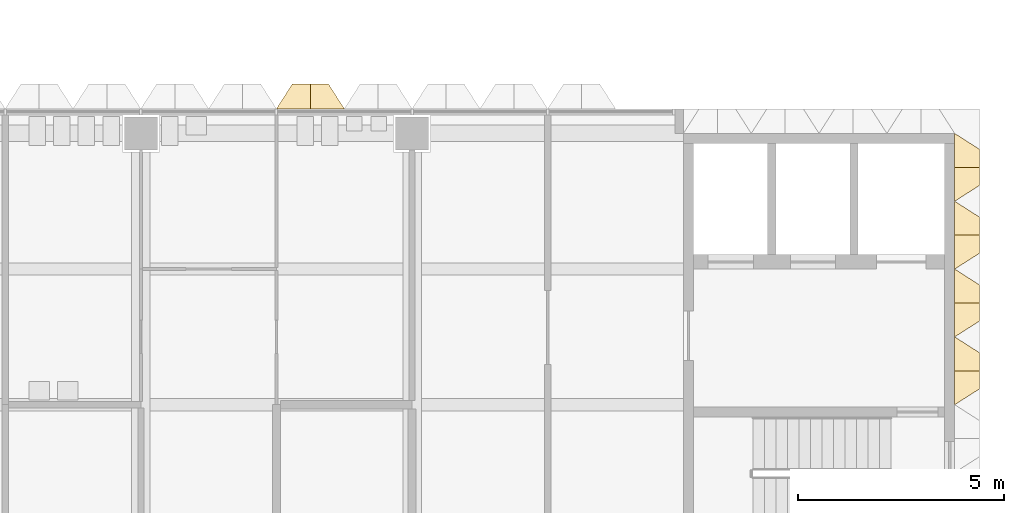
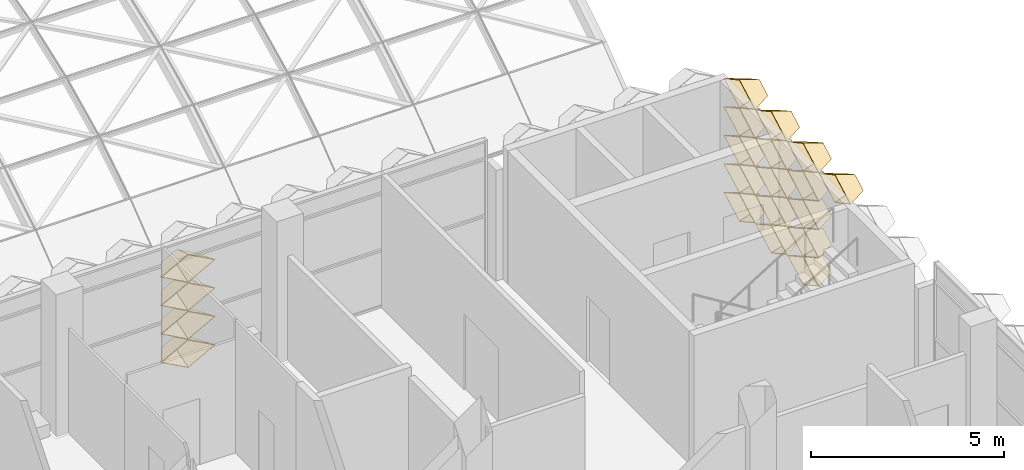
# One storey, part 66 of 85: 20 coverings.
"""IFC4 building model written with IfcOpenShell, lengths in metres."""

from ifc_helpers import new_model, entity, si_unit, direction, frame, origin, place, context, subcontext, project, spatial, material, layer, layer_set, type_object, element, save


model = new_model("IFC4")

# Units and contexts
model_context = context("Model", 3, precision=1e-05, world=origin(), true_north=direction((0.0, 1.0)))
body_context = subcontext(model_context, "Body", "Model", "MODEL_VIEW")
ifc_project = project(units=[si_unit("LENGTHUNIT", "METRE"), si_unit("AREAUNIT", "SQUARE_METRE"), si_unit("VOLUMEUNIT", "CUBIC_METRE"), si_unit("PLANEANGLEUNIT", "RADIAN"), si_unit("MASSUNIT", "GRAM", prefix="KILO")], contexts=[model_context])

# Site, building, storey
site_placement = place(None, origin())
site = spatial("IfcSite", under=ifc_project, at=site_placement, CompositionType="ELEMENT")
building_placement = place(site_placement, origin())
building = spatial("IfcBuilding", under=site, at=building_placement, Name="Lantern Court Research Institute", CompositionType="ELEMENT")
storey_placement = place(building_placement, frame((0.0, 0.0, 18.89990234375)))
storey = spatial("IfcBuildingStorey", under=building, at=storey_placement, Name="L04", CompositionType="ELEMENT", Elevation=18.89990234375)

# Coverings
ifc_material = material(Name="Anodised aluminium", Category="aluminium")
ifc_layer = layer(ifc_material, 0.01611328125)
ifc_layer_set = layer_set([ifc_layer], Name="Anodised aluminium")
covering_type = type_object("IfcCoveringType", Name="Fin cassette 1650 x 900 x 600 aluminium", PredefinedType="CLADDING", material=ifc_layer_set)
covering_1_placement = place(storey_placement, frame((79.199951171875, 18.97509765625, 0.4501953125), z_axis=(1.0, 0.0, 0.0), x_axis=(0.0, 1.0, 0.0)))
cartesian_point_1 = entity("IfcCartesianPoint", [0.824951171875, 0.0])
cartesian_point_2 = entity("IfcCartesianPoint", [0.79150390625, 0.0])
cartesian_point_3 = entity("IfcCartesianPoint", [0.44189453125, 0.0])
cartesian_point_4 = entity("IfcCartesianPoint", [0.43359375, 0.0])
element("IfcCovering", 1, at=covering_1_placement, inside=storey, type_object=covering_type, Name="Fin cassette V5E-L04 1.12", PredefinedType="CLADDING", context=body_context, shape_type="SweptSolid", body=[
    entity("IfcExtrudedAreaSolidTapered", entity("IfcArbitraryProfileDefWithVoids", "AREA", None, entity("IfcPolyline", [cartesian_point_1, entity("IfcCartesianPoint", [0.0, 0.449951171875]), entity("IfcCartesianPoint", [-0.824951171875, 0.0]), entity("IfcCartesianPoint", [0.0, -0.449951171875]), cartesian_point_1]), [entity("IfcPolyline", [cartesian_point_2, entity("IfcCartesianPoint", [0.0, 0.431884765625]), entity("IfcCartesianPoint", [-0.79150390625, 0.0]), entity("IfcCartesianPoint", [0.0, -0.431884765625]), cartesian_point_2])]), entity("IfcAxis2Placement3D", entity("IfcCartesianPoint", [0.0, 0.0, 0.0])), entity("IfcDirection", [0.0, 0.0, 1.0]), 0.60009765625, entity("IfcArbitraryProfileDefWithVoids", "AREA", None, entity("IfcPolyline", [cartesian_point_3, entity("IfcCartesianPoint", [0.0, 0.240966796875]), entity("IfcCartesianPoint", [-0.44189453125, 0.0]), entity("IfcCartesianPoint", [0.0, -0.240966796875]), cartesian_point_3]), [entity("IfcPolyline", [cartesian_point_4, entity("IfcCartesianPoint", [0.0, 0.236572265625]), entity("IfcCartesianPoint", [-0.43359375, 0.0]), entity("IfcCartesianPoint", [0.0, -0.236572265625]), cartesian_point_4])])),
])
covering_2_placement = place(storey_placement, frame((79.199951171875, 20.625, 0.4501953125), z_axis=(1.0, 0.0, 0.0), x_axis=(0.0, 1.0, 0.0)))
cartesian_point_5 = entity("IfcCartesianPoint", [0.824951171875, 0.0])
cartesian_point_6 = entity("IfcCartesianPoint", [0.79150390625, 0.0])
cartesian_point_7 = entity("IfcCartesianPoint", [0.44189453125, 0.0])
cartesian_point_8 = entity("IfcCartesianPoint", [0.43359375, 0.0])
element("IfcCovering", 2, at=covering_2_placement, inside=storey, type_object=covering_type, Name="Fin cassette V5E-L04 1.13", PredefinedType="CLADDING", context=body_context, shape_type="SweptSolid", body=[
    entity("IfcExtrudedAreaSolidTapered", entity("IfcArbitraryProfileDefWithVoids", "AREA", None, entity("IfcPolyline", [cartesian_point_5, entity("IfcCartesianPoint", [0.0, 0.449951171875]), entity("IfcCartesianPoint", [-0.824951171875, 0.0]), entity("IfcCartesianPoint", [0.0, -0.449951171875]), cartesian_point_5]), [entity("IfcPolyline", [cartesian_point_6, entity("IfcCartesianPoint", [0.0, 0.431884765625]), entity("IfcCartesianPoint", [-0.79150390625, 0.0]), entity("IfcCartesianPoint", [0.0, -0.431884765625]), cartesian_point_6])]), entity("IfcAxis2Placement3D", entity("IfcCartesianPoint", [0.0, 0.0, 0.0])), entity("IfcDirection", [0.0, 0.0, 1.0]), 0.60009765625, entity("IfcArbitraryProfileDefWithVoids", "AREA", None, entity("IfcPolyline", [cartesian_point_7, entity("IfcCartesianPoint", [0.0, 0.240966796875]), entity("IfcCartesianPoint", [-0.44189453125, 0.0]), entity("IfcCartesianPoint", [0.0, -0.240966796875]), cartesian_point_7]), [entity("IfcPolyline", [cartesian_point_8, entity("IfcCartesianPoint", [0.0, 0.236572265625]), entity("IfcCartesianPoint", [-0.43359375, 0.0]), entity("IfcCartesianPoint", [0.0, -0.236572265625]), cartesian_point_8])])),
])
covering_3_placement = place(storey_placement, frame((79.199951171875, 22.27490234375, 0.4501953125), z_axis=(1.0, 0.0, 0.0), x_axis=(0.0, 1.0, 0.0)))
cartesian_point_9 = entity("IfcCartesianPoint", [0.824951171875, 0.0])
cartesian_point_10 = entity("IfcCartesianPoint", [0.79150390625, 0.0])
cartesian_point_11 = entity("IfcCartesianPoint", [0.44189453125, 0.0])
cartesian_point_12 = entity("IfcCartesianPoint", [0.43359375, 0.0])
element("IfcCovering", 3, at=covering_3_placement, inside=storey, type_object=covering_type, Name="Fin cassette V5E-L04 1.14", PredefinedType="CLADDING", context=body_context, shape_type="SweptSolid", body=[
    entity("IfcExtrudedAreaSolidTapered", entity("IfcArbitraryProfileDefWithVoids", "AREA", None, entity("IfcPolyline", [cartesian_point_9, entity("IfcCartesianPoint", [0.0, 0.449951171875]), entity("IfcCartesianPoint", [-0.824951171875, 0.0]), entity("IfcCartesianPoint", [0.0, -0.449951171875]), cartesian_point_9]), [entity("IfcPolyline", [cartesian_point_10, entity("IfcCartesianPoint", [0.0, 0.431884765625]), entity("IfcCartesianPoint", [-0.79150390625, 0.0]), entity("IfcCartesianPoint", [0.0, -0.431884765625]), cartesian_point_10])]), entity("IfcAxis2Placement3D", entity("IfcCartesianPoint", [0.0, 0.0, 0.0])), entity("IfcDirection", [0.0, 0.0, 1.0]), 0.60009765625, entity("IfcArbitraryProfileDefWithVoids", "AREA", None, entity("IfcPolyline", [cartesian_point_11, entity("IfcCartesianPoint", [0.0, 0.240966796875]), entity("IfcCartesianPoint", [-0.44189453125, 0.0]), entity("IfcCartesianPoint", [0.0, -0.240966796875]), cartesian_point_11]), [entity("IfcPolyline", [cartesian_point_12, entity("IfcCartesianPoint", [0.0, 0.236572265625]), entity("IfcCartesianPoint", [-0.43359375, 0.0]), entity("IfcCartesianPoint", [0.0, -0.236572265625]), cartesian_point_12])])),
])
covering_4_placement = place(storey_placement, frame((79.199951171875, 18.97509765625, 1.35009765625), z_axis=(1.0, 0.0, 0.0), x_axis=(0.0, 1.0, 0.0)))
cartesian_point_13 = entity("IfcCartesianPoint", [0.824951171875, 0.0])
cartesian_point_14 = entity("IfcCartesianPoint", [0.79150390625, 0.0])
cartesian_point_15 = entity("IfcCartesianPoint", [0.44189453125, 0.0])
cartesian_point_16 = entity("IfcCartesianPoint", [0.43359375, 0.0])
element("IfcCovering", 4, at=covering_4_placement, inside=storey, type_object=covering_type, Name="Fin cassette V5E-L04 2.12", PredefinedType="CLADDING", context=body_context, shape_type="SweptSolid", body=[
    entity("IfcExtrudedAreaSolidTapered", entity("IfcArbitraryProfileDefWithVoids", "AREA", None, entity("IfcPolyline", [cartesian_point_13, entity("IfcCartesianPoint", [0.0, 0.449951171875]), entity("IfcCartesianPoint", [-0.824951171875, 0.0]), entity("IfcCartesianPoint", [0.0, -0.449951171875]), cartesian_point_13]), [entity("IfcPolyline", [cartesian_point_14, entity("IfcCartesianPoint", [0.0, 0.431884765625]), entity("IfcCartesianPoint", [-0.79150390625, 0.0]), entity("IfcCartesianPoint", [0.0, -0.431884765625]), cartesian_point_14])]), entity("IfcAxis2Placement3D", entity("IfcCartesianPoint", [0.0, 0.0, 0.0])), entity("IfcDirection", [0.0, 0.0, 1.0]), 0.60009765625, entity("IfcArbitraryProfileDefWithVoids", "AREA", None, entity("IfcPolyline", [cartesian_point_15, entity("IfcCartesianPoint", [0.0, 0.240966796875]), entity("IfcCartesianPoint", [-0.44189453125, 0.0]), entity("IfcCartesianPoint", [0.0, -0.240966796875]), cartesian_point_15]), [entity("IfcPolyline", [cartesian_point_16, entity("IfcCartesianPoint", [0.0, 0.236572265625]), entity("IfcCartesianPoint", [-0.43359375, 0.0]), entity("IfcCartesianPoint", [0.0, -0.236572265625]), cartesian_point_16])])),
])
covering_5_placement = place(storey_placement, frame((79.199951171875, 20.625, 1.35009765625), z_axis=(1.0, 0.0, 0.0), x_axis=(0.0, 1.0, 0.0)))
cartesian_point_17 = entity("IfcCartesianPoint", [0.824951171875, 0.0])
cartesian_point_18 = entity("IfcCartesianPoint", [0.79150390625, 0.0])
cartesian_point_19 = entity("IfcCartesianPoint", [0.44189453125, 0.0])
cartesian_point_20 = entity("IfcCartesianPoint", [0.43359375, 0.0])
element("IfcCovering", 5, at=covering_5_placement, inside=storey, type_object=covering_type, Name="Fin cassette V5E-L04 2.13", PredefinedType="CLADDING", context=body_context, shape_type="SweptSolid", body=[
    entity("IfcExtrudedAreaSolidTapered", entity("IfcArbitraryProfileDefWithVoids", "AREA", None, entity("IfcPolyline", [cartesian_point_17, entity("IfcCartesianPoint", [0.0, 0.449951171875]), entity("IfcCartesianPoint", [-0.824951171875, 0.0]), entity("IfcCartesianPoint", [0.0, -0.449951171875]), cartesian_point_17]), [entity("IfcPolyline", [cartesian_point_18, entity("IfcCartesianPoint", [0.0, 0.431884765625]), entity("IfcCartesianPoint", [-0.79150390625, 0.0]), entity("IfcCartesianPoint", [0.0, -0.431884765625]), cartesian_point_18])]), entity("IfcAxis2Placement3D", entity("IfcCartesianPoint", [0.0, 0.0, 0.0])), entity("IfcDirection", [0.0, 0.0, 1.0]), 0.60009765625, entity("IfcArbitraryProfileDefWithVoids", "AREA", None, entity("IfcPolyline", [cartesian_point_19, entity("IfcCartesianPoint", [0.0, 0.240966796875]), entity("IfcCartesianPoint", [-0.44189453125, 0.0]), entity("IfcCartesianPoint", [0.0, -0.240966796875]), cartesian_point_19]), [entity("IfcPolyline", [cartesian_point_20, entity("IfcCartesianPoint", [0.0, 0.236572265625]), entity("IfcCartesianPoint", [-0.43359375, 0.0]), entity("IfcCartesianPoint", [0.0, -0.236572265625]), cartesian_point_20])])),
])
covering_6_placement = place(storey_placement, frame((79.199951171875, 22.27490234375, 1.35009765625), z_axis=(1.0, 0.0, 0.0), x_axis=(0.0, 1.0, 0.0)))
cartesian_point_21 = entity("IfcCartesianPoint", [0.824951171875, 0.0])
cartesian_point_22 = entity("IfcCartesianPoint", [0.79150390625, 0.0])
cartesian_point_23 = entity("IfcCartesianPoint", [0.44189453125, 0.0])
cartesian_point_24 = entity("IfcCartesianPoint", [0.43359375, 0.0])
element("IfcCovering", 6, at=covering_6_placement, inside=storey, type_object=covering_type, Name="Fin cassette V5E-L04 2.14", PredefinedType="CLADDING", context=body_context, shape_type="SweptSolid", body=[
    entity("IfcExtrudedAreaSolidTapered", entity("IfcArbitraryProfileDefWithVoids", "AREA", None, entity("IfcPolyline", [cartesian_point_21, entity("IfcCartesianPoint", [0.0, 0.449951171875]), entity("IfcCartesianPoint", [-0.824951171875, 0.0]), entity("IfcCartesianPoint", [0.0, -0.449951171875]), cartesian_point_21]), [entity("IfcPolyline", [cartesian_point_22, entity("IfcCartesianPoint", [0.0, 0.431884765625]), entity("IfcCartesianPoint", [-0.79150390625, 0.0]), entity("IfcCartesianPoint", [0.0, -0.431884765625]), cartesian_point_22])]), entity("IfcAxis2Placement3D", entity("IfcCartesianPoint", [0.0, 0.0, 0.0])), entity("IfcDirection", [0.0, 0.0, 1.0]), 0.60009765625, entity("IfcArbitraryProfileDefWithVoids", "AREA", None, entity("IfcPolyline", [cartesian_point_23, entity("IfcCartesianPoint", [0.0, 0.240966796875]), entity("IfcCartesianPoint", [-0.44189453125, 0.0]), entity("IfcCartesianPoint", [0.0, -0.240966796875]), cartesian_point_23]), [entity("IfcPolyline", [cartesian_point_24, entity("IfcCartesianPoint", [0.0, 0.236572265625]), entity("IfcCartesianPoint", [-0.43359375, 0.0]), entity("IfcCartesianPoint", [0.0, -0.236572265625]), cartesian_point_24])])),
])
covering_7_placement = place(storey_placement, frame((79.199951171875, 18.97509765625, 2.25), z_axis=(1.0, 0.0, 0.0), x_axis=(0.0, 1.0, 0.0)))
cartesian_point_25 = entity("IfcCartesianPoint", [0.824951171875, 0.0])
cartesian_point_26 = entity("IfcCartesianPoint", [0.79150390625, 0.0])
cartesian_point_27 = entity("IfcCartesianPoint", [0.44189453125, 0.0])
cartesian_point_28 = entity("IfcCartesianPoint", [0.43359375, 0.0])
element("IfcCovering", 7, at=covering_7_placement, inside=storey, type_object=covering_type, Name="Fin cassette V5E-L04 3.12", PredefinedType="CLADDING", context=body_context, shape_type="SweptSolid", body=[
    entity("IfcExtrudedAreaSolidTapered", entity("IfcArbitraryProfileDefWithVoids", "AREA", None, entity("IfcPolyline", [cartesian_point_25, entity("IfcCartesianPoint", [0.0, 0.449951171875]), entity("IfcCartesianPoint", [-0.824951171875, 0.0]), entity("IfcCartesianPoint", [0.0, -0.449951171875]), cartesian_point_25]), [entity("IfcPolyline", [cartesian_point_26, entity("IfcCartesianPoint", [0.0, 0.431884765625]), entity("IfcCartesianPoint", [-0.79150390625, 0.0]), entity("IfcCartesianPoint", [0.0, -0.431884765625]), cartesian_point_26])]), entity("IfcAxis2Placement3D", entity("IfcCartesianPoint", [0.0, 0.0, 0.0])), entity("IfcDirection", [0.0, 0.0, 1.0]), 0.60009765625, entity("IfcArbitraryProfileDefWithVoids", "AREA", None, entity("IfcPolyline", [cartesian_point_27, entity("IfcCartesianPoint", [0.0, 0.240966796875]), entity("IfcCartesianPoint", [-0.44189453125, 0.0]), entity("IfcCartesianPoint", [0.0, -0.240966796875]), cartesian_point_27]), [entity("IfcPolyline", [cartesian_point_28, entity("IfcCartesianPoint", [0.0, 0.236572265625]), entity("IfcCartesianPoint", [-0.43359375, 0.0]), entity("IfcCartesianPoint", [0.0, -0.236572265625]), cartesian_point_28])])),
])
covering_8_placement = place(storey_placement, frame((79.199951171875, 20.625, 2.25), z_axis=(1.0, 0.0, 0.0), x_axis=(0.0, 1.0, 0.0)))
cartesian_point_29 = entity("IfcCartesianPoint", [0.824951171875, 0.0])
cartesian_point_30 = entity("IfcCartesianPoint", [0.79150390625, 0.0])
cartesian_point_31 = entity("IfcCartesianPoint", [0.44189453125, 0.0])
cartesian_point_32 = entity("IfcCartesianPoint", [0.43359375, 0.0])
element("IfcCovering", 8, at=covering_8_placement, inside=storey, type_object=covering_type, Name="Fin cassette V5E-L04 3.13", PredefinedType="CLADDING", context=body_context, shape_type="SweptSolid", body=[
    entity("IfcExtrudedAreaSolidTapered", entity("IfcArbitraryProfileDefWithVoids", "AREA", None, entity("IfcPolyline", [cartesian_point_29, entity("IfcCartesianPoint", [0.0, 0.449951171875]), entity("IfcCartesianPoint", [-0.824951171875, 0.0]), entity("IfcCartesianPoint", [0.0, -0.449951171875]), cartesian_point_29]), [entity("IfcPolyline", [cartesian_point_30, entity("IfcCartesianPoint", [0.0, 0.431884765625]), entity("IfcCartesianPoint", [-0.79150390625, 0.0]), entity("IfcCartesianPoint", [0.0, -0.431884765625]), cartesian_point_30])]), entity("IfcAxis2Placement3D", entity("IfcCartesianPoint", [0.0, 0.0, 0.0])), entity("IfcDirection", [0.0, 0.0, 1.0]), 0.60009765625, entity("IfcArbitraryProfileDefWithVoids", "AREA", None, entity("IfcPolyline", [cartesian_point_31, entity("IfcCartesianPoint", [0.0, 0.240966796875]), entity("IfcCartesianPoint", [-0.44189453125, 0.0]), entity("IfcCartesianPoint", [0.0, -0.240966796875]), cartesian_point_31]), [entity("IfcPolyline", [cartesian_point_32, entity("IfcCartesianPoint", [0.0, 0.236572265625]), entity("IfcCartesianPoint", [-0.43359375, 0.0]), entity("IfcCartesianPoint", [0.0, -0.236572265625]), cartesian_point_32])])),
])
covering_9_placement = place(storey_placement, frame((79.199951171875, 22.27490234375, 2.25), z_axis=(1.0, 0.0, 0.0), x_axis=(0.0, 1.0, 0.0)))
cartesian_point_33 = entity("IfcCartesianPoint", [0.824951171875, 0.0])
cartesian_point_34 = entity("IfcCartesianPoint", [0.79150390625, 0.0])
cartesian_point_35 = entity("IfcCartesianPoint", [0.44189453125, 0.0])
cartesian_point_36 = entity("IfcCartesianPoint", [0.43359375, 0.0])
element("IfcCovering", 9, at=covering_9_placement, inside=storey, type_object=covering_type, Name="Fin cassette V5E-L04 3.14", PredefinedType="CLADDING", context=body_context, shape_type="SweptSolid", body=[
    entity("IfcExtrudedAreaSolidTapered", entity("IfcArbitraryProfileDefWithVoids", "AREA", None, entity("IfcPolyline", [cartesian_point_33, entity("IfcCartesianPoint", [0.0, 0.449951171875]), entity("IfcCartesianPoint", [-0.824951171875, 0.0]), entity("IfcCartesianPoint", [0.0, -0.449951171875]), cartesian_point_33]), [entity("IfcPolyline", [cartesian_point_34, entity("IfcCartesianPoint", [0.0, 0.431884765625]), entity("IfcCartesianPoint", [-0.79150390625, 0.0]), entity("IfcCartesianPoint", [0.0, -0.431884765625]), cartesian_point_34])]), entity("IfcAxis2Placement3D", entity("IfcCartesianPoint", [0.0, 0.0, 0.0])), entity("IfcDirection", [0.0, 0.0, 1.0]), 0.60009765625, entity("IfcArbitraryProfileDefWithVoids", "AREA", None, entity("IfcPolyline", [cartesian_point_35, entity("IfcCartesianPoint", [0.0, 0.240966796875]), entity("IfcCartesianPoint", [-0.44189453125, 0.0]), entity("IfcCartesianPoint", [0.0, -0.240966796875]), cartesian_point_35]), [entity("IfcPolyline", [cartesian_point_36, entity("IfcCartesianPoint", [0.0, 0.236572265625]), entity("IfcCartesianPoint", [-0.43359375, 0.0]), entity("IfcCartesianPoint", [0.0, -0.236572265625]), cartesian_point_36])])),
])
covering_10_placement = place(storey_placement, frame((79.199951171875, 18.97509765625, 3.150146484375), z_axis=(1.0, 0.0, 0.0), x_axis=(0.0, 1.0, 0.0)))
cartesian_point_37 = entity("IfcCartesianPoint", [0.824951171875, 0.0])
cartesian_point_38 = entity("IfcCartesianPoint", [0.79150390625, 0.0])
cartesian_point_39 = entity("IfcCartesianPoint", [0.44189453125, 0.0])
cartesian_point_40 = entity("IfcCartesianPoint", [0.43359375, 0.0])
element("IfcCovering", 10, at=covering_10_placement, inside=storey, type_object=covering_type, Name="Fin cassette V5E-L04 4.12", PredefinedType="CLADDING", context=body_context, shape_type="SweptSolid", body=[
    entity("IfcExtrudedAreaSolidTapered", entity("IfcArbitraryProfileDefWithVoids", "AREA", None, entity("IfcPolyline", [cartesian_point_37, entity("IfcCartesianPoint", [0.0, 0.449951171875]), entity("IfcCartesianPoint", [-0.824951171875, 0.0]), entity("IfcCartesianPoint", [0.0, -0.449951171875]), cartesian_point_37]), [entity("IfcPolyline", [cartesian_point_38, entity("IfcCartesianPoint", [0.0, 0.431884765625]), entity("IfcCartesianPoint", [-0.79150390625, 0.0]), entity("IfcCartesianPoint", [0.0, -0.431884765625]), cartesian_point_38])]), entity("IfcAxis2Placement3D", entity("IfcCartesianPoint", [0.0, 0.0, 0.0])), entity("IfcDirection", [0.0, 0.0, 1.0]), 0.60009765625, entity("IfcArbitraryProfileDefWithVoids", "AREA", None, entity("IfcPolyline", [cartesian_point_39, entity("IfcCartesianPoint", [0.0, 0.240966796875]), entity("IfcCartesianPoint", [-0.44189453125, 0.0]), entity("IfcCartesianPoint", [0.0, -0.240966796875]), cartesian_point_39]), [entity("IfcPolyline", [cartesian_point_40, entity("IfcCartesianPoint", [0.0, 0.236572265625]), entity("IfcCartesianPoint", [-0.43359375, 0.0]), entity("IfcCartesianPoint", [0.0, -0.236572265625]), cartesian_point_40])])),
])
covering_11_placement = place(storey_placement, frame((79.199951171875, 20.625, 3.150146484375), z_axis=(1.0, 0.0, 0.0), x_axis=(0.0, 1.0, 0.0)))
cartesian_point_41 = entity("IfcCartesianPoint", [0.824951171875, 0.0])
cartesian_point_42 = entity("IfcCartesianPoint", [0.79150390625, 0.0])
cartesian_point_43 = entity("IfcCartesianPoint", [0.44189453125, 0.0])
cartesian_point_44 = entity("IfcCartesianPoint", [0.43359375, 0.0])
element("IfcCovering", 11, at=covering_11_placement, inside=storey, type_object=covering_type, Name="Fin cassette V5E-L04 4.13", PredefinedType="CLADDING", context=body_context, shape_type="SweptSolid", body=[
    entity("IfcExtrudedAreaSolidTapered", entity("IfcArbitraryProfileDefWithVoids", "AREA", None, entity("IfcPolyline", [cartesian_point_41, entity("IfcCartesianPoint", [0.0, 0.449951171875]), entity("IfcCartesianPoint", [-0.824951171875, 0.0]), entity("IfcCartesianPoint", [0.0, -0.449951171875]), cartesian_point_41]), [entity("IfcPolyline", [cartesian_point_42, entity("IfcCartesianPoint", [0.0, 0.431884765625]), entity("IfcCartesianPoint", [-0.79150390625, 0.0]), entity("IfcCartesianPoint", [0.0, -0.431884765625]), cartesian_point_42])]), entity("IfcAxis2Placement3D", entity("IfcCartesianPoint", [0.0, 0.0, 0.0])), entity("IfcDirection", [0.0, 0.0, 1.0]), 0.60009765625, entity("IfcArbitraryProfileDefWithVoids", "AREA", None, entity("IfcPolyline", [cartesian_point_43, entity("IfcCartesianPoint", [0.0, 0.240966796875]), entity("IfcCartesianPoint", [-0.44189453125, 0.0]), entity("IfcCartesianPoint", [0.0, -0.240966796875]), cartesian_point_43]), [entity("IfcPolyline", [cartesian_point_44, entity("IfcCartesianPoint", [0.0, 0.236572265625]), entity("IfcCartesianPoint", [-0.43359375, 0.0]), entity("IfcCartesianPoint", [0.0, -0.236572265625]), cartesian_point_44])])),
])
covering_12_placement = place(storey_placement, frame((79.199951171875, 22.27490234375, 3.150146484375), z_axis=(1.0, 0.0, 0.0), x_axis=(0.0, 1.0, 0.0)))
cartesian_point_45 = entity("IfcCartesianPoint", [0.824951171875, 0.0])
cartesian_point_46 = entity("IfcCartesianPoint", [0.79150390625, 0.0])
cartesian_point_47 = entity("IfcCartesianPoint", [0.44189453125, 0.0])
cartesian_point_48 = entity("IfcCartesianPoint", [0.43359375, 0.0])
element("IfcCovering", 12, at=covering_12_placement, inside=storey, type_object=covering_type, Name="Fin cassette V5E-L04 4.14", PredefinedType="CLADDING", context=body_context, shape_type="SweptSolid", body=[
    entity("IfcExtrudedAreaSolidTapered", entity("IfcArbitraryProfileDefWithVoids", "AREA", None, entity("IfcPolyline", [cartesian_point_45, entity("IfcCartesianPoint", [0.0, 0.449951171875]), entity("IfcCartesianPoint", [-0.824951171875, 0.0]), entity("IfcCartesianPoint", [0.0, -0.449951171875]), cartesian_point_45]), [entity("IfcPolyline", [cartesian_point_46, entity("IfcCartesianPoint", [0.0, 0.431884765625]), entity("IfcCartesianPoint", [-0.79150390625, 0.0]), entity("IfcCartesianPoint", [0.0, -0.431884765625]), cartesian_point_46])]), entity("IfcAxis2Placement3D", entity("IfcCartesianPoint", [0.0, 0.0, 0.0])), entity("IfcDirection", [0.0, 0.0, 1.0]), 0.60009765625, entity("IfcArbitraryProfileDefWithVoids", "AREA", None, entity("IfcPolyline", [cartesian_point_47, entity("IfcCartesianPoint", [0.0, 0.240966796875]), entity("IfcCartesianPoint", [-0.44189453125, 0.0]), entity("IfcCartesianPoint", [0.0, -0.240966796875]), cartesian_point_47]), [entity("IfcPolyline", [cartesian_point_48, entity("IfcCartesianPoint", [0.0, 0.236572265625]), entity("IfcCartesianPoint", [-0.43359375, 0.0]), entity("IfcCartesianPoint", [0.0, -0.236572265625]), cartesian_point_48])])),
])
covering_13_placement = place(storey_placement, frame((79.199951171875, 17.324951171875, 4.050048828125), z_axis=(1.0, 0.0, 0.0), x_axis=(0.0, 1.0, 0.0)))
cartesian_point_49 = entity("IfcCartesianPoint", [0.824951171875, 0.0])
cartesian_point_50 = entity("IfcCartesianPoint", [0.79150390625, 0.0])
cartesian_point_51 = entity("IfcCartesianPoint", [0.44189453125, 0.0])
cartesian_point_52 = entity("IfcCartesianPoint", [0.43359375, 0.0])
element("IfcCovering", 13, at=covering_13_placement, inside=storey, type_object=covering_type, Name="Fin cassette V5E-L04 5.11", PredefinedType="CLADDING", context=body_context, shape_type="SweptSolid", body=[
    entity("IfcExtrudedAreaSolidTapered", entity("IfcArbitraryProfileDefWithVoids", "AREA", None, entity("IfcPolyline", [cartesian_point_49, entity("IfcCartesianPoint", [0.0, 0.449951171875]), entity("IfcCartesianPoint", [-0.824951171875, 0.0]), entity("IfcCartesianPoint", [0.0, -0.449951171875]), cartesian_point_49]), [entity("IfcPolyline", [cartesian_point_50, entity("IfcCartesianPoint", [0.0, 0.431884765625]), entity("IfcCartesianPoint", [-0.79150390625, 0.0]), entity("IfcCartesianPoint", [0.0, -0.431884765625]), cartesian_point_50])]), entity("IfcAxis2Placement3D", entity("IfcCartesianPoint", [0.0, 0.0, 0.0])), entity("IfcDirection", [0.0, 0.0, 1.0]), 0.60009765625, entity("IfcArbitraryProfileDefWithVoids", "AREA", None, entity("IfcPolyline", [cartesian_point_51, entity("IfcCartesianPoint", [0.0, 0.240966796875]), entity("IfcCartesianPoint", [-0.44189453125, 0.0]), entity("IfcCartesianPoint", [0.0, -0.240966796875]), cartesian_point_51]), [entity("IfcPolyline", [cartesian_point_52, entity("IfcCartesianPoint", [0.0, 0.236572265625]), entity("IfcCartesianPoint", [-0.43359375, 0.0]), entity("IfcCartesianPoint", [0.0, -0.236572265625]), cartesian_point_52])])),
])
covering_14_placement = place(storey_placement, frame((79.199951171875, 18.97509765625, 4.050048828125), z_axis=(1.0, 0.0, 0.0), x_axis=(0.0, 1.0, 0.0)))
cartesian_point_53 = entity("IfcCartesianPoint", [0.824951171875, 0.0])
cartesian_point_54 = entity("IfcCartesianPoint", [0.79150390625, 0.0])
cartesian_point_55 = entity("IfcCartesianPoint", [0.44189453125, 0.0])
cartesian_point_56 = entity("IfcCartesianPoint", [0.43359375, 0.0])
element("IfcCovering", 14, at=covering_14_placement, inside=storey, type_object=covering_type, Name="Fin cassette V5E-L04 5.12", PredefinedType="CLADDING", context=body_context, shape_type="SweptSolid", body=[
    entity("IfcExtrudedAreaSolidTapered", entity("IfcArbitraryProfileDefWithVoids", "AREA", None, entity("IfcPolyline", [cartesian_point_53, entity("IfcCartesianPoint", [0.0, 0.449951171875]), entity("IfcCartesianPoint", [-0.824951171875, 0.0]), entity("IfcCartesianPoint", [0.0, -0.449951171875]), cartesian_point_53]), [entity("IfcPolyline", [cartesian_point_54, entity("IfcCartesianPoint", [0.0, 0.431884765625]), entity("IfcCartesianPoint", [-0.79150390625, 0.0]), entity("IfcCartesianPoint", [0.0, -0.431884765625]), cartesian_point_54])]), entity("IfcAxis2Placement3D", entity("IfcCartesianPoint", [0.0, 0.0, 0.0])), entity("IfcDirection", [0.0, 0.0, 1.0]), 0.60009765625, entity("IfcArbitraryProfileDefWithVoids", "AREA", None, entity("IfcPolyline", [cartesian_point_55, entity("IfcCartesianPoint", [0.0, 0.240966796875]), entity("IfcCartesianPoint", [-0.44189453125, 0.0]), entity("IfcCartesianPoint", [0.0, -0.240966796875]), cartesian_point_55]), [entity("IfcPolyline", [cartesian_point_56, entity("IfcCartesianPoint", [0.0, 0.236572265625]), entity("IfcCartesianPoint", [-0.43359375, 0.0]), entity("IfcCartesianPoint", [0.0, -0.236572265625]), cartesian_point_56])])),
])
covering_15_placement = place(storey_placement, frame((79.199951171875, 20.625, 4.050048828125), z_axis=(1.0, 0.0, 0.0), x_axis=(0.0, 1.0, 0.0)))
cartesian_point_57 = entity("IfcCartesianPoint", [0.824951171875, 0.0])
cartesian_point_58 = entity("IfcCartesianPoint", [0.79150390625, 0.0])
cartesian_point_59 = entity("IfcCartesianPoint", [0.44189453125, 0.0])
cartesian_point_60 = entity("IfcCartesianPoint", [0.43359375, 0.0])
element("IfcCovering", 15, at=covering_15_placement, inside=storey, type_object=covering_type, Name="Fin cassette V5E-L04 5.13", PredefinedType="CLADDING", context=body_context, shape_type="SweptSolid", body=[
    entity("IfcExtrudedAreaSolidTapered", entity("IfcArbitraryProfileDefWithVoids", "AREA", None, entity("IfcPolyline", [cartesian_point_57, entity("IfcCartesianPoint", [0.0, 0.449951171875]), entity("IfcCartesianPoint", [-0.824951171875, 0.0]), entity("IfcCartesianPoint", [0.0, -0.449951171875]), cartesian_point_57]), [entity("IfcPolyline", [cartesian_point_58, entity("IfcCartesianPoint", [0.0, 0.431884765625]), entity("IfcCartesianPoint", [-0.79150390625, 0.0]), entity("IfcCartesianPoint", [0.0, -0.431884765625]), cartesian_point_58])]), entity("IfcAxis2Placement3D", entity("IfcCartesianPoint", [0.0, 0.0, 0.0])), entity("IfcDirection", [0.0, 0.0, 1.0]), 0.60009765625, entity("IfcArbitraryProfileDefWithVoids", "AREA", None, entity("IfcPolyline", [cartesian_point_59, entity("IfcCartesianPoint", [0.0, 0.240966796875]), entity("IfcCartesianPoint", [-0.44189453125, 0.0]), entity("IfcCartesianPoint", [0.0, -0.240966796875]), cartesian_point_59]), [entity("IfcPolyline", [cartesian_point_60, entity("IfcCartesianPoint", [0.0, 0.236572265625]), entity("IfcCartesianPoint", [-0.43359375, 0.0]), entity("IfcCartesianPoint", [0.0, -0.236572265625]), cartesian_point_60])])),
])
covering_16_placement = place(storey_placement, frame((79.199951171875, 22.27490234375, 4.050048828125), z_axis=(1.0, 0.0, 0.0), x_axis=(0.0, 1.0, 0.0)))
cartesian_point_61 = entity("IfcCartesianPoint", [0.824951171875, 0.0])
cartesian_point_62 = entity("IfcCartesianPoint", [0.79150390625, 0.0])
cartesian_point_63 = entity("IfcCartesianPoint", [0.44189453125, 0.0])
cartesian_point_64 = entity("IfcCartesianPoint", [0.43359375, 0.0])
element("IfcCovering", 16, at=covering_16_placement, inside=storey, type_object=covering_type, Name="Fin cassette V5E-L04 5.14", PredefinedType="CLADDING", context=body_context, shape_type="SweptSolid", body=[
    entity("IfcExtrudedAreaSolidTapered", entity("IfcArbitraryProfileDefWithVoids", "AREA", None, entity("IfcPolyline", [cartesian_point_61, entity("IfcCartesianPoint", [0.0, 0.449951171875]), entity("IfcCartesianPoint", [-0.824951171875, 0.0]), entity("IfcCartesianPoint", [0.0, -0.449951171875]), cartesian_point_61]), [entity("IfcPolyline", [cartesian_point_62, entity("IfcCartesianPoint", [0.0, 0.431884765625]), entity("IfcCartesianPoint", [-0.79150390625, 0.0]), entity("IfcCartesianPoint", [0.0, -0.431884765625]), cartesian_point_62])]), entity("IfcAxis2Placement3D", entity("IfcCartesianPoint", [0.0, 0.0, 0.0])), entity("IfcDirection", [0.0, 0.0, 1.0]), 0.60009765625, entity("IfcArbitraryProfileDefWithVoids", "AREA", None, entity("IfcPolyline", [cartesian_point_63, entity("IfcCartesianPoint", [0.0, 0.240966796875]), entity("IfcCartesianPoint", [-0.44189453125, 0.0]), entity("IfcCartesianPoint", [0.0, -0.240966796875]), cartesian_point_63]), [entity("IfcPolyline", [cartesian_point_64, entity("IfcCartesianPoint", [0.0, 0.236572265625]), entity("IfcCartesianPoint", [-0.43359375, 0.0]), entity("IfcCartesianPoint", [0.0, -0.236572265625]), cartesian_point_64])])),
])
covering_17_placement = place(storey_placement, frame((63.52490234375, 23.699951171875, 0.4501953125), z_axis=(0.0, 1.0, 0.0), x_axis=(-1.0, 0.0, 0.0)))
cartesian_point_65 = entity("IfcCartesianPoint", [0.824951171875, 0.0])
cartesian_point_66 = entity("IfcCartesianPoint", [0.79150390625, 0.0])
cartesian_point_67 = entity("IfcCartesianPoint", [0.44189453125, 0.0])
cartesian_point_68 = entity("IfcCartesianPoint", [0.43359375, 0.0])
element("IfcCovering", 17, at=covering_17_placement, inside=storey, type_object=covering_type, Name="Fin cassette V5N-L04 1.39", PredefinedType="CLADDING", context=body_context, shape_type="SweptSolid", body=[
    entity("IfcExtrudedAreaSolidTapered", entity("IfcArbitraryProfileDefWithVoids", "AREA", None, entity("IfcPolyline", [cartesian_point_65, entity("IfcCartesianPoint", [0.0, 0.449951171875]), entity("IfcCartesianPoint", [-0.824951171875, 0.0]), entity("IfcCartesianPoint", [0.0, -0.449951171875]), cartesian_point_65]), [entity("IfcPolyline", [cartesian_point_66, entity("IfcCartesianPoint", [0.0, 0.431884765625]), entity("IfcCartesianPoint", [-0.79150390625, 0.0]), entity("IfcCartesianPoint", [0.0, -0.431884765625]), cartesian_point_66])]), entity("IfcAxis2Placement3D", entity("IfcCartesianPoint", [0.0, 0.0, 0.0])), entity("IfcDirection", [0.0, 0.0, 1.0]), 0.60009765625, entity("IfcArbitraryProfileDefWithVoids", "AREA", None, entity("IfcPolyline", [cartesian_point_67, entity("IfcCartesianPoint", [0.0, 0.240966796875]), entity("IfcCartesianPoint", [-0.44189453125, 0.0]), entity("IfcCartesianPoint", [0.0, -0.240966796875]), cartesian_point_67]), [entity("IfcPolyline", [cartesian_point_68, entity("IfcCartesianPoint", [0.0, 0.236572265625]), entity("IfcCartesianPoint", [-0.43359375, 0.0]), entity("IfcCartesianPoint", [0.0, -0.236572265625]), cartesian_point_68])])),
])
covering_18_placement = place(storey_placement, frame((63.52490234375, 23.699951171875, 1.35009765625), z_axis=(0.0, 1.0, 0.0), x_axis=(-1.0, 0.0, 0.0)))
cartesian_point_69 = entity("IfcCartesianPoint", [0.824951171875, 0.0])
cartesian_point_70 = entity("IfcCartesianPoint", [0.79150390625, 0.0])
cartesian_point_71 = entity("IfcCartesianPoint", [0.44189453125, 0.0])
cartesian_point_72 = entity("IfcCartesianPoint", [0.43359375, 0.0])
element("IfcCovering", 18, at=covering_18_placement, inside=storey, type_object=covering_type, Name="Fin cassette V5N-L04 2.39", PredefinedType="CLADDING", context=body_context, shape_type="SweptSolid", body=[
    entity("IfcExtrudedAreaSolidTapered", entity("IfcArbitraryProfileDefWithVoids", "AREA", None, entity("IfcPolyline", [cartesian_point_69, entity("IfcCartesianPoint", [0.0, 0.449951171875]), entity("IfcCartesianPoint", [-0.824951171875, 0.0]), entity("IfcCartesianPoint", [0.0, -0.449951171875]), cartesian_point_69]), [entity("IfcPolyline", [cartesian_point_70, entity("IfcCartesianPoint", [0.0, 0.431884765625]), entity("IfcCartesianPoint", [-0.79150390625, 0.0]), entity("IfcCartesianPoint", [0.0, -0.431884765625]), cartesian_point_70])]), entity("IfcAxis2Placement3D", entity("IfcCartesianPoint", [0.0, 0.0, 0.0])), entity("IfcDirection", [0.0, 0.0, 1.0]), 0.60009765625, entity("IfcArbitraryProfileDefWithVoids", "AREA", None, entity("IfcPolyline", [cartesian_point_71, entity("IfcCartesianPoint", [0.0, 0.240966796875]), entity("IfcCartesianPoint", [-0.44189453125, 0.0]), entity("IfcCartesianPoint", [0.0, -0.240966796875]), cartesian_point_71]), [entity("IfcPolyline", [cartesian_point_72, entity("IfcCartesianPoint", [0.0, 0.236572265625]), entity("IfcCartesianPoint", [-0.43359375, 0.0]), entity("IfcCartesianPoint", [0.0, -0.236572265625]), cartesian_point_72])])),
])
covering_19_placement = place(storey_placement, frame((63.52490234375, 23.699951171875, 2.25), z_axis=(0.0, 1.0, 0.0), x_axis=(-1.0, 0.0, 0.0)))
cartesian_point_73 = entity("IfcCartesianPoint", [0.824951171875, 0.0])
cartesian_point_74 = entity("IfcCartesianPoint", [0.79150390625, 0.0])
cartesian_point_75 = entity("IfcCartesianPoint", [0.44189453125, 0.0])
cartesian_point_76 = entity("IfcCartesianPoint", [0.43359375, 0.0])
element("IfcCovering", 19, at=covering_19_placement, inside=storey, type_object=covering_type, Name="Fin cassette V5N-L04 3.39", PredefinedType="CLADDING", context=body_context, shape_type="SweptSolid", body=[
    entity("IfcExtrudedAreaSolidTapered", entity("IfcArbitraryProfileDefWithVoids", "AREA", None, entity("IfcPolyline", [cartesian_point_73, entity("IfcCartesianPoint", [0.0, 0.449951171875]), entity("IfcCartesianPoint", [-0.824951171875, 0.0]), entity("IfcCartesianPoint", [0.0, -0.449951171875]), cartesian_point_73]), [entity("IfcPolyline", [cartesian_point_74, entity("IfcCartesianPoint", [0.0, 0.431884765625]), entity("IfcCartesianPoint", [-0.79150390625, 0.0]), entity("IfcCartesianPoint", [0.0, -0.431884765625]), cartesian_point_74])]), entity("IfcAxis2Placement3D", entity("IfcCartesianPoint", [0.0, 0.0, 0.0])), entity("IfcDirection", [0.0, 0.0, 1.0]), 0.60009765625, entity("IfcArbitraryProfileDefWithVoids", "AREA", None, entity("IfcPolyline", [cartesian_point_75, entity("IfcCartesianPoint", [0.0, 0.240966796875]), entity("IfcCartesianPoint", [-0.44189453125, 0.0]), entity("IfcCartesianPoint", [0.0, -0.240966796875]), cartesian_point_75]), [entity("IfcPolyline", [cartesian_point_76, entity("IfcCartesianPoint", [0.0, 0.236572265625]), entity("IfcCartesianPoint", [-0.43359375, 0.0]), entity("IfcCartesianPoint", [0.0, -0.236572265625]), cartesian_point_76])])),
])
covering_20_placement = place(storey_placement, frame((63.52490234375, 23.699951171875, 3.150146484375), z_axis=(0.0, 1.0, 0.0), x_axis=(-1.0, 0.0, 0.0)))
cartesian_point_77 = entity("IfcCartesianPoint", [0.824951171875, 0.0])
cartesian_point_78 = entity("IfcCartesianPoint", [0.79150390625, 0.0])
cartesian_point_79 = entity("IfcCartesianPoint", [0.44189453125, 0.0])
cartesian_point_80 = entity("IfcCartesianPoint", [0.43359375, 0.0])
element("IfcCovering", 20, at=covering_20_placement, inside=storey, type_object=covering_type, Name="Fin cassette V5N-L04 4.39", PredefinedType="CLADDING", context=body_context, shape_type="SweptSolid", body=[
    entity("IfcExtrudedAreaSolidTapered", entity("IfcArbitraryProfileDefWithVoids", "AREA", None, entity("IfcPolyline", [cartesian_point_77, entity("IfcCartesianPoint", [0.0, 0.449951171875]), entity("IfcCartesianPoint", [-0.824951171875, 0.0]), entity("IfcCartesianPoint", [0.0, -0.449951171875]), cartesian_point_77]), [entity("IfcPolyline", [cartesian_point_78, entity("IfcCartesianPoint", [0.0, 0.431884765625]), entity("IfcCartesianPoint", [-0.79150390625, 0.0]), entity("IfcCartesianPoint", [0.0, -0.431884765625]), cartesian_point_78])]), entity("IfcAxis2Placement3D", entity("IfcCartesianPoint", [0.0, 0.0, 0.0])), entity("IfcDirection", [0.0, 0.0, 1.0]), 0.60009765625, entity("IfcArbitraryProfileDefWithVoids", "AREA", None, entity("IfcPolyline", [cartesian_point_79, entity("IfcCartesianPoint", [0.0, 0.240966796875]), entity("IfcCartesianPoint", [-0.44189453125, 0.0]), entity("IfcCartesianPoint", [0.0, -0.240966796875]), cartesian_point_79]), [entity("IfcPolyline", [cartesian_point_80, entity("IfcCartesianPoint", [0.0, 0.236572265625]), entity("IfcCartesianPoint", [-0.43359375, 0.0]), entity("IfcCartesianPoint", [0.0, -0.236572265625]), cartesian_point_80])])),
])

save(model, "model.ifc")
